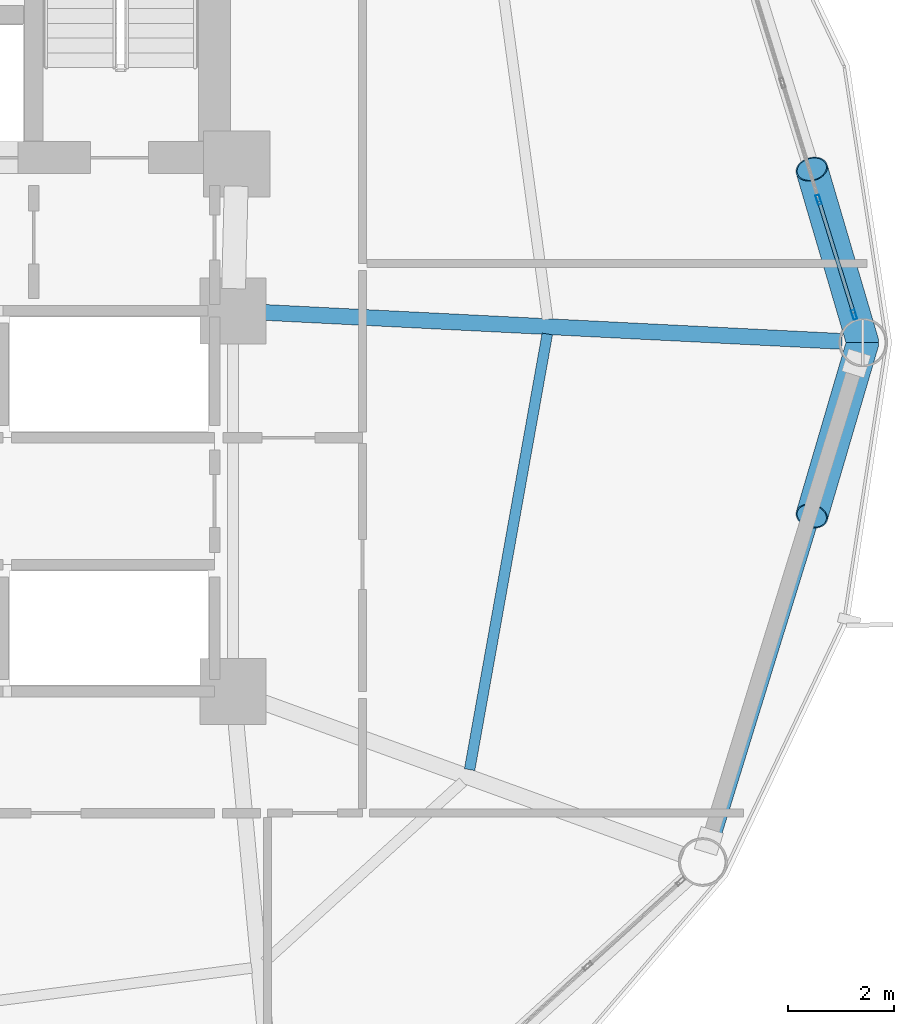
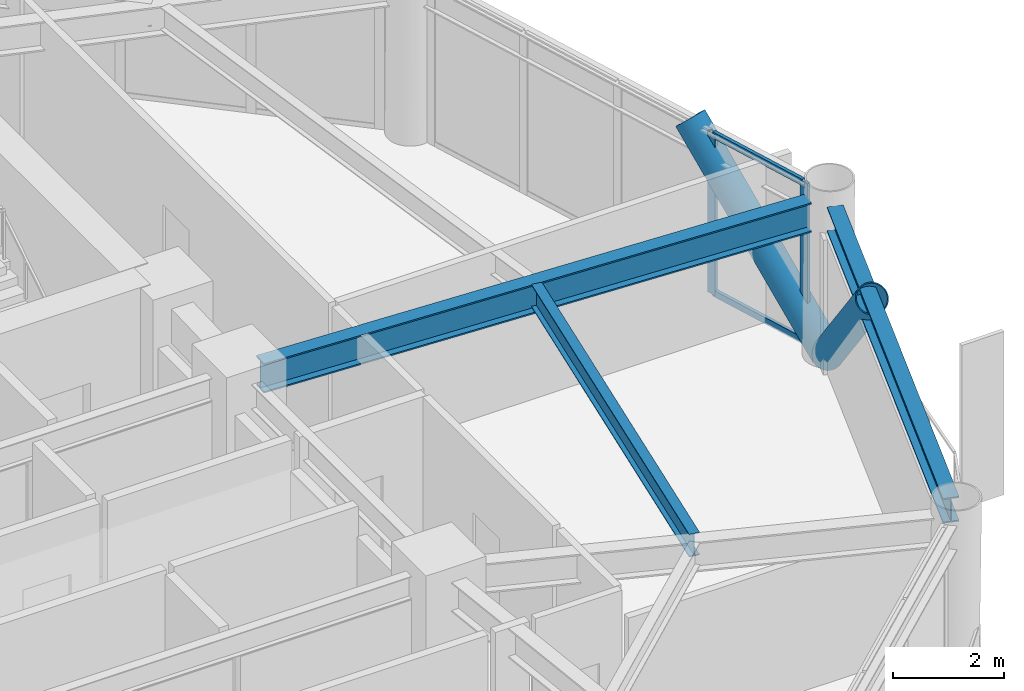
# One storey, part 13 of 25: 6 members, 3 beams, 1 element without a shape of its own.
"""IFC4 building model written with IfcOpenShell, lengths in metres."""

from ifc_helpers import new_model, si_unit, direction, frame, origin, origin_2d, place, context, subcontext, project, spatial, hollow_rectangle, hollow_circle, i_section, extrude, material, layer, layer_set, material_profile, profile_set, type_object, element, aggregate, save


model = new_model("IFC4")

# Units and contexts
model_context = context("Model", 3, precision=1e-05, world=origin(), true_north=direction((0.0, 1.0)))
body_context = subcontext(model_context, "Body", "Model", "MODEL_VIEW")
ifc_project = project(units=[si_unit("LENGTHUNIT", "METRE"), si_unit("AREAUNIT", "SQUARE_METRE"), si_unit("VOLUMEUNIT", "CUBIC_METRE"), si_unit("PLANEANGLEUNIT", "RADIAN"), si_unit("MASSUNIT", "GRAM", prefix="KILO")], contexts=[model_context])

# Site, building, storey
site_placement = place(None, origin())
site = spatial("IfcSite", under=ifc_project, at=site_placement, CompositionType="ELEMENT")
building_placement = place(site_placement, origin())
building = spatial("IfcBuilding", under=site, at=building_placement, Name="Varnakorn Sky Granary", CompositionType="ELEMENT")
storey_placement = place(building_placement, frame((0.0, 0.0, 74.39990234375)))
storey = spatial("IfcBuildingStorey", under=building, at=storey_placement, Name="L18", CompositionType="ELEMENT", Elevation=74.39990234375)

# Beams
ifc_material_1 = material(Name="Steel S355JR", Category="steel")
ifc_material_profile_1 = material_profile(ifc_material_1, i_section(OverallWidth=0.300048828125, OverallDepth=0.64990234375, WebThickness=0.01611328125, FlangeThickness=0.031005859375, at=origin_2d()), Name="HE 650 B")
ifc_profile_set_1 = profile_set([ifc_material_profile_1], Name="Steel S355JR")
beam_type_1 = type_object("IfcBeamType", Name="BM-RAD-Z1", PredefinedType="BEAM", material=ifc_profile_set_1)
beam_1_placement = place(storey_placement, frame((8.76953125, 0.5791015625, 3.22509765625), z_axis=(0.998743888487, -0.050106339015, 0.0), x_axis=(0.050106339015, 0.998743888487, 0.0)))
element("IfcBeam", 1, at=beam_1_placement, inside=storey, type_object=beam_type_1, Name="Radial Floor Girder RG01 L18", PredefinedType="BEAM", context=body_context, shape_type="SweptSolid", body=[
    extrude(i_section(OverallWidth=0.300048828125, OverallDepth=0.64990234375, WebThickness=0.01611328125, FlangeThickness=0.031005859375, at=origin_2d()), origin(), (0.0, 0.0, 1.0), 11.114013671875),
])
ifc_material_profile_2 = material_profile(ifc_material_1, i_section(OverallWidth=0.199951171875, OverallDepth=0.5, WebThickness=0.01025390625, FlangeThickness=0.01611328125, at=origin_2d()), Name="IPE 500")
ifc_profile_set_2 = profile_set([ifc_material_profile_2], Name="Steel S355JR")
beam_type_2 = type_object("IfcBeamType", Name="BM-SEC-Z1", PredefinedType="BEAM", material=ifc_profile_set_2)
beam_2_placement = place(storey_placement, frame((12.8251953125, -8.079345703125, 3.300048828125), z_axis=(0.175553446731, 0.984469901694, 0.0), x_axis=(-0.984469901694, 0.175553446731, 0.0)))
element("IfcBeam", 2, at=beam_2_placement, inside=storey, type_object=beam_type_2, Name="Secondary Floor Chord Beam MSB12 L18", PredefinedType="BEAM", context=body_context, shape_type="SweptSolid", body=[
    extrude(i_section(OverallWidth=0.199951171875, OverallDepth=0.5, WebThickness=0.01025390625, FlangeThickness=0.01611328125, at=origin_2d()), origin(), (0.0, 0.0, 1.0), 8.3720703125),
])
ifc_material_profile_3 = material_profile(ifc_material_1, i_section(OverallWidth=0.300048828125, OverallDepth=0.550048828125, WebThickness=0.014892578125, FlangeThickness=0.029052734375, at=origin_2d()), Name="HE 550 B")
ifc_profile_set_3 = profile_set([ifc_material_profile_3], Name="Steel S355JR")
beam_type_3 = type_object("IfcBeamType", Name="BM-SPD-Z1", PredefinedType="SPANDREL", material=ifc_profile_set_3)
beam_3_placement = place(storey_placement, frame((17.40234375, -9.419677734375, 3.275146484375), z_axis=(0.295047656432, 0.955482538006, 0.0), x_axis=(-0.955482538006, 0.295047656432, 0.0)))
element("IfcBeam", 3, at=beam_3_placement, inside=storey, type_object=beam_type_3, Name="Perimeter Spandrel Ring Beam RB12 L18", PredefinedType="SPANDREL", context=body_context, shape_type="SweptSolid", body=[
    extrude(i_section(OverallWidth=0.300048828125, OverallDepth=0.550048828125, WebThickness=0.014892578125, FlangeThickness=0.029052734375, at=origin_2d()), origin(), (0.0, 0.0, 1.0), 9.41650390625),
])

# Curtain wall, members
ifc_material_2 = material(Name="Anodised Bronze Aluminium Alloy 6063-T6", Category="aluminium")
ifc_layer = layer(ifc_material_2, 0.18994140625, Name="Anodised Bronze Aluminium Alloy 6063-T6")
ifc_layer_set = layer_set([ifc_layer], Name="Anodised Bronze Aluminium Alloy 6063-T6")
curtain_wall_type = type_object("IfcCurtainWallType", Name="CW-FRM-1", PredefinedType="USERDEFINED", material=ifc_layer_set)
curtain_wall_placement = place(storey_placement, origin())
curtain_wall = element("IfcCurtainWall", 4, at=curtain_wall_placement, inside=storey, type_object=curtain_wall_type, Name="Unitised Curtain Wall CW3 CW-L18-B01", ObjectType="CURTAIN WALL", PredefinedType="USERDEFINED")
ifc_material_profile_4 = material_profile(ifc_material_2, hollow_rectangle(XDim=0.070068359375, YDim=0.18505859375, WallThickness=0.00390625, at=origin_2d()), Name="ALU MULL 70x185")
ifc_profile_set_4 = profile_set([ifc_material_profile_4], Name="Anodised Bronze Aluminium Alloy 6063-T6")
member_type_1 = type_object("IfcMemberType", Name="CW-FRM-1-MULL", PredefinedType="MULLION", material=ifc_profile_set_4)
member_1_placement = place(storey_placement, frame((19.427734375, 2.70263671875, 0.0), z_axis=(0.0, 0.0, 1.0), x_axis=(0.955503832529, 0.294978687405, 0.0)))
member_1 = element("IfcMember", 5, at=member_1_placement, type_object=member_type_1, Name="CW3 mullion 4", PredefinedType="MULLION", context=body_context, shape_type="SweptSolid", body=[
    extrude(hollow_rectangle(XDim=0.070068359375, YDim=0.18505859375, WallThickness=0.00390625, at=origin_2d()), origin(), (0.0, 0.0, 1.0), 3.550048828125),
])
member_2_placement = place(storey_placement, frame((20.09912109375, 0.52734375, 0.0), z_axis=(0.0, 0.0, 1.0), x_axis=(0.955503832529, 0.294978687405, 0.0)))
member_2 = element("IfcMember", 6, at=member_2_placement, type_object=member_type_1, Name="CW3 mullion 5", PredefinedType="MULLION", context=body_context, shape_type="SweptSolid", body=[
    extrude(hollow_rectangle(XDim=0.070068359375, YDim=0.18505859375, WallThickness=0.00390625, at=origin_2d()), origin(), (0.0, 0.0, 1.0), 3.550048828125),
])
ifc_material_profile_5 = material_profile(ifc_material_2, hollow_rectangle(XDim=0.070068359375, YDim=0.139892578125, WallThickness=0.00341796875, at=origin_2d()), Name="ALU TRAN 70x140")
ifc_profile_set_5 = profile_set([ifc_material_profile_5], Name="Anodised Bronze Aluminium Alloy 6063-T6")
member_type_2 = type_object("IfcMemberType", Name="CW-FRM-1-TRAN", PredefinedType="USERDEFINED", material=ifc_profile_set_5)
member_3_placement = place(storey_placement, frame((19.43798828125, 2.669189453125, 0.03515625), z_axis=(0.29497205597, -0.955505879729, 0.0), x_axis=(0.955505879729, 0.29497205597, 0.0)))
member_3 = element("IfcMember", 7, at=member_3_placement, type_object=member_type_2, Name="CW3 transom 4.1", ObjectType="TRANSOM", PredefinedType="USERDEFINED", context=body_context, shape_type="SweptSolid", body=[
    extrude(hollow_rectangle(XDim=0.070068359375, YDim=0.139892578125, WallThickness=0.00341796875, at=origin_2d()), origin(), (0.0, 0.0, 1.0), 2.20654296875),
])
member_4_placement = place(storey_placement, frame((19.43798828125, 2.669189453125, 3.51513671875), z_axis=(0.29497205597, -0.955505879729, 0.0), x_axis=(0.955505879729, 0.29497205597, 0.0)))
member_4 = element("IfcMember", 8, at=member_4_placement, type_object=member_type_2, Name="CW3 transom 4.2", ObjectType="TRANSOM", PredefinedType="USERDEFINED", context=body_context, shape_type="SweptSolid", body=[
    extrude(hollow_rectangle(XDim=0.070068359375, YDim=0.139892578125, WallThickness=0.00341796875, at=origin_2d()), origin(), (0.0, 0.0, 1.0), 2.20654296875),
])
aggregate(curtain_wall, [member_1, member_2, member_3, member_4])

# Members
ifc_material_3 = material(Name="Steel S460M", Category="steel")
ifc_material_profile_6 = material_profile(ifc_material_3, hollow_circle(Radius=0.304931640625, WallThickness=0.022216796875, at=origin_2d()), Name="CHS 610x22")
ifc_profile_set_6 = profile_set([ifc_material_profile_6], Name="Steel S460M")
member_type_3 = type_object("IfcMemberType", Name="MB-DIAG-T1", PredefinedType="BRACE", material=ifc_profile_set_6)
for number, where, z_axis, x_axis, name in (
    (9, (20.261962890625, 0.0, 0.0), (-0.19554927275, 0.665600589466, 0.720233529649), (-0.959449590614, -0.281880263711, 0.0), "Perimeter CHS Diagrid Brace DG01 L18"),
    (10, (20.261962890625, 0.0, 0.0), (-0.19554927275, -0.665600589466, 0.720233529649), (0.959449590614, -0.281880263711, 0.0), "Perimeter CHS Diagrid Brace DG12 L18"),
):
    element("IfcMember", number, at=place(storey_placement, frame(where, z_axis=z_axis, x_axis=x_axis)), inside=storey, type_object=member_type_3, Name=name, PredefinedType="BRACE", context=body_context, shape_type="SweptSolid", body=[
        extrude(hollow_circle(Radius=0.304931640625, WallThickness=0.022216796875, at=origin_2d()), origin(), (0.0, 0.0, 1.0), 4.928955078125),
    ])

save(model, "model.ifc")
